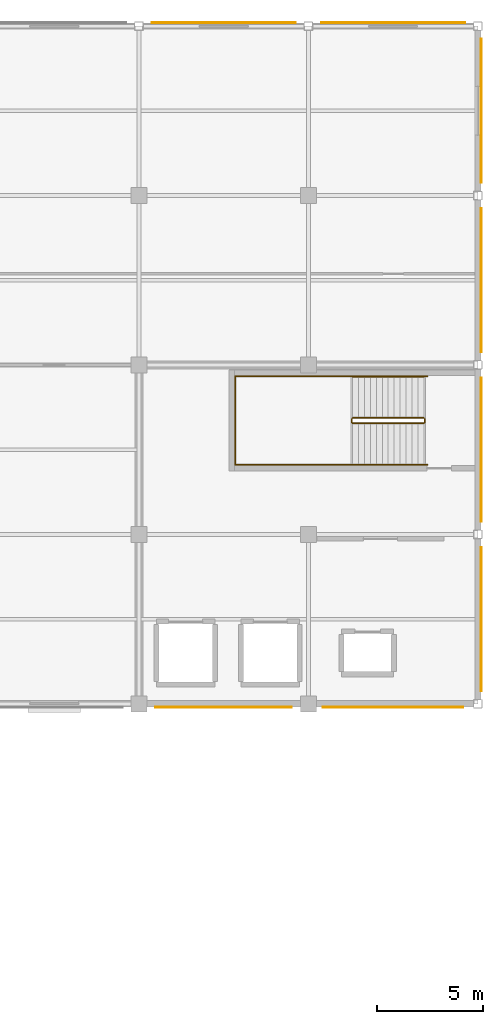
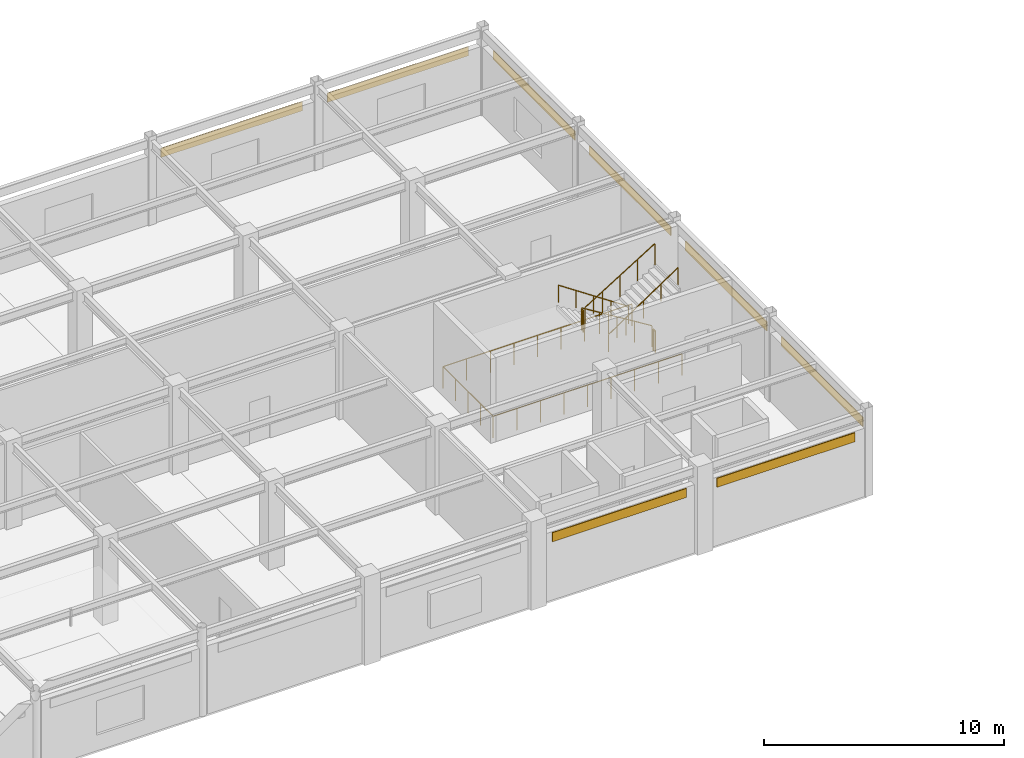
# One storey, part 77 of 78: 9 railings, 8 coverings.
"""IFC4 building model written with IfcOpenShell, lengths in metres."""

from ifc_helpers import new_model, si_unit, direction, frame, origin, origin_2d, place, context, subcontext, project, spatial, rectangle, circle, extrude, material, layer, layer_set, type_object, element, save


model = new_model("IFC4")

# Units and contexts
model_context = context("Model", 3, precision=1e-05, world=origin(), true_north=direction((0.0, 1.0)))
body_context = subcontext(model_context, "Body", "Model", "MODEL_VIEW")
ifc_project = project(units=[si_unit("LENGTHUNIT", "METRE"), si_unit("AREAUNIT", "SQUARE_METRE"), si_unit("VOLUMEUNIT", "CUBIC_METRE"), si_unit("PLANEANGLEUNIT", "RADIAN"), si_unit("MASSUNIT", "GRAM", prefix="KILO")], contexts=[model_context])

# Site, building, storey
site_placement = place(None, origin())
site = spatial("IfcSite", under=ifc_project, at=site_placement, CompositionType="ELEMENT")
building_placement = place(site_placement, origin())
building = spatial("IfcBuilding", under=site, at=building_placement, Name="Solmirada Galleria", CompositionType="ELEMENT")
storey_placement = place(building_placement, frame((0.0, 0.0, 23.89990234375)))
storey = spatial("IfcBuildingStorey", under=building, at=storey_placement, Name="L05", CompositionType="ELEMENT", Elevation=23.89990234375)

# Coverings
ifc_material_1 = material(Name="Limestone cladding panels", Category="masonry")
ifc_layer_1 = layer(ifc_material_1, 0.044921875)
ifc_layer_set_1 = layer_set([ifc_layer_1], Name="Limestone cladding panels")
covering_type_1 = type_object("IfcCoveringType", Name="COV-CLAD-LIME", PredefinedType="CLADDING", material=ifc_layer_set_1)
for number, where, z_axis, x_axis, name in (
    (1, (164.0, 120.16748046875, 2.990234375), (0.0, 0.0, 1.0), (1.0, 0.0, 0.0), "Postmodern facade cladding L05-354"),
    (2, (176.16748046875, 116.0, 2.990234375), (0.0, 0.0, 1.0), (0.0, -1.0, 0.0), "Postmodern facade cladding L05-356"),
    (3, (176.16748046875, 100.0, 2.990234375), (0.0, 0.0, 1.0), (0.0, -1.0, 0.0), "Postmodern facade cladding L05-358"),
):
    element("IfcCovering", number, at=place(storey_placement, frame(where, z_axis=z_axis, x_axis=x_axis)), inside=storey, type_object=covering_type_1, Name=name, PredefinedType="CLADDING", context=body_context, shape_type="SweptSolid", body=[
        extrude(rectangle(XDim=6.7939453125, YDim=0.044921875, at=origin_2d()), origin(), (0.0, 0.0, 1.0), 0.4599609375),
    ])
covering_1_placement = place(storey_placement, frame((172.0, 87.83251953125, 2.990234375), z_axis=(0.0, 0.0, 1.0), x_axis=(-1.0, 0.0, 0.0)))
element("IfcCovering", 4, at=covering_1_placement, inside=storey, type_object=covering_type_1, Name="Postmodern facade cladding L05-360", PredefinedType="CLADDING", context=body_context, shape_type="SweptSolid", body=[
    extrude(rectangle(XDim=6.6220703125, YDim=0.044921875, at=origin_2d()), origin(), (0.0, 0.0, 1.0), 0.4599609375),
])
ifc_material_2 = material(Name="Glazed terracotta facade panels", Category="masonry")
ifc_layer_2 = layer(ifc_material_2, 0.0400390625)
ifc_layer_set_2 = layer_set([ifc_layer_2], Name="Glazed terracotta facade panels")
covering_type_2 = type_object("IfcCoveringType", Name="COV-CLAD-TERRA", PredefinedType="CLADDING", material=ifc_layer_set_2)
for number, where, z_axis, x_axis, name in (
    (5, (172.0, 120.1650390625, 2.990234375), (0.0, 0.0, 1.0), (1.0, 0.0, 0.0), "Postmodern facade cladding L05-355"),
    (6, (176.1650390625, 108.0, 2.990234375), (0.0, 0.0, 1.0), (0.0, -1.0, 0.0), "Postmodern facade cladding L05-357"),
    (7, (176.1650390625, 92.0, 2.990234375), (0.0, 0.0, 1.0), (0.0, -1.0, 0.0), "Postmodern facade cladding L05-359"),
):
    element("IfcCovering", number, at=place(storey_placement, frame(where, z_axis=z_axis, x_axis=x_axis)), inside=storey, type_object=covering_type_2, Name=name, PredefinedType="CLADDING", context=body_context, shape_type="SweptSolid", body=[
        extrude(rectangle(XDim=6.7939453125, YDim=0.0400390625, at=origin_2d()), origin(), (0.0, 0.0, 1.0), 0.4599609375),
    ])
covering_2_placement = place(storey_placement, frame((164.0, 87.8349609375, 2.990234375), z_axis=(0.0, 0.0, 1.0), x_axis=(-1.0, 0.0, 0.0)))
element("IfcCovering", 8, at=covering_2_placement, inside=storey, type_object=covering_type_2, Name="Postmodern facade cladding L05-361", PredefinedType="CLADDING", context=body_context, shape_type="SweptSolid", body=[
    extrude(rectangle(XDim=6.449951171875, YDim=0.0400390625, at=origin_2d()), origin(), (0.0, 0.0, 1.0), 0.4599609375),
])

# Railings
ifc_material_3 = material(Name="Painted steel tubular railing", Category="steel")
railing_type_1 = type_object("IfcRailingType", Name="RAIL-STAIR-GUARD", PredefinedType="GUARDRAIL", material=ifc_material_3)
railing_1_placement = place(storey_placement, frame((173.449951171875, 101.5, 0.173095703125)))
element("IfcRailing", 9, at=railing_1_placement, inside=storey, type_object=railing_type_1, Name="L05 ST4 stair guard 1", PredefinedType="GUARDRAIL", context=body_context, shape_type="SweptSolid", body=[
    extrude(circle(Radius=0.02392578125, at=origin_2d()), frame((0.0, 0.0, 1.076171875), z_axis=(-0.850606129759, 0.0, 0.525803396734), x_axis=(0.0, -1.0, 0.0)), (0.0, 0.0, 1.0), 3.949951171875),
    extrude(circle(Radius=0.02099609375, at=origin_2d()), origin(), (0.0, 0.0, 1.0), 1.048095703125),
    extrude(circle(Radius=0.02099609375, at=origin_2d()), frame((-0.83984375, 0.0, 0.519287109375)), (0.0, 0.0, 1.0), 1.048095703125),
    extrude(circle(Radius=0.02099609375, at=origin_2d()), frame((-1.679931640625, 0.0, 1.03857421875)), (0.0, 0.0, 1.0), 1.048095703125),
    extrude(circle(Radius=0.02099609375, at=origin_2d()), frame((-2.52001953125, 0.0, 1.5576171875)), (0.0, 0.0, 1.0), 1.048095703125),
    extrude(circle(Radius=0.02099609375, at=origin_2d()), frame((-3.35986328125, 0.0, 2.076904296875)), (0.0, 0.0, 1.0), 1.048095703125),
])
railing_2_placement = place(storey_placement, frame((170.0400390625, 101.449951171875, 2.25)))
element("IfcRailing", 10, at=railing_2_placement, inside=storey, type_object=railing_type_1, Name="L05 ST4 stair guard 2", PredefinedType="GUARDRAIL", context=body_context, shape_type="SweptSolid", body=[
    extrude(circle(Radius=0.02392578125, at=origin_2d()), frame((0.0, 0.0, 1.076171875), z_axis=(0.0, -1.0, 0.0), x_axis=(1.0, 0.0, 0.0)), (0.0, 0.0, 1.0), 0.14990234375),
    extrude(circle(Radius=0.02099609375, at=origin_2d()), origin(), (0.0, 0.0, 1.0), 1.048095703125),
    extrude(circle(Radius=0.02099609375, at=origin_2d()), frame((0.0, -0.14990234375, 0.0)), (0.0, 0.0, 1.0), 1.048095703125),
])
railing_3_placement = place(storey_placement, frame((170.090087890625, 101.25, 2.423095703125)))
element("IfcRailing", 11, at=railing_3_placement, inside=storey, type_object=railing_type_1, Name="L05 ST4 stair guard 3", PredefinedType="GUARDRAIL", context=body_context, shape_type="SweptSolid", body=[
    extrude(circle(Radius=0.02392578125, at=origin_2d()), frame((0.0, 0.0, 1.076171875), z_axis=(0.850606129759, 0.0, 0.525803396734), x_axis=(0.0, 1.0, 0.0)), (0.0, 0.0, 1.0), 3.949951171875),
    extrude(circle(Radius=0.02099609375, at=origin_2d()), origin(), (0.0, 0.0, 1.0), 1.048095703125),
    extrude(circle(Radius=0.02099609375, at=origin_2d()), frame((0.83984375, 0.0, 0.519287109375)), (0.0, 0.0, 1.0), 1.048095703125),
    extrude(circle(Radius=0.02099609375, at=origin_2d()), frame((1.679931640625, 0.0, 1.03857421875)), (0.0, 0.0, 1.0), 1.048095703125),
    extrude(circle(Radius=0.02099609375, at=origin_2d()), frame((2.52001953125, 0.0, 1.5576171875)), (0.0, 0.0, 1.0), 1.048095703125),
    extrude(circle(Radius=0.02099609375, at=origin_2d()), frame((3.35986328125, 0.0, 2.076904296875)), (0.0, 0.0, 1.0), 1.048095703125),
])
railing_4_placement = place(storey_placement, frame((173.5, 101.449951171875, 0.0)))
element("IfcRailing", 12, at=railing_4_placement, inside=storey, type_object=railing_type_1, Name="L05 ST4 stair guard 4", PredefinedType="GUARDRAIL", context=body_context, shape_type="SweptSolid", body=[
    extrude(circle(Radius=0.02392578125, at=origin_2d()), frame((0.0, 0.0, 1.076171875), z_axis=(0.0, -1.0, 0.0), x_axis=(1.0, 0.0, 0.0)), (0.0, 0.0, 1.0), 0.14990234375),
    extrude(circle(Radius=0.02099609375, at=origin_2d()), origin(), (0.0, 0.0, 1.0), 1.048095703125),
    extrude(circle(Radius=0.02099609375, at=origin_2d()), frame((0.0, -0.14990234375, 0.0)), (0.0, 0.0, 1.0), 1.048095703125),
])
railing_5_placement = place(storey_placement, frame((173.6201171875, 99.2900390625, 0.0)))
element("IfcRailing", 13, at=railing_5_placement, inside=storey, type_object=railing_type_1, Name="Stair ST4 well edge guard L05-1", PredefinedType="GUARDRAIL", context=body_context, shape_type="SweptSolid", body=[
    extrude(circle(Radius=0.02392578125, at=origin_2d()), frame((0.0, 0.0, 1.09619140625), z_axis=(-1.0, 0.0, 0.0), x_axis=(0.0, -1.0, 0.0)), (0.0, 0.0, 1.0), 9.080078125),
    extrude(circle(Radius=0.02099609375, at=origin_2d()), origin(), (0.0, 0.0, 1.0), 1.068115234375),
    extrude(circle(Radius=0.02099609375, at=origin_2d()), frame((-1.135009765625, 0.0, 0.0)), (0.0, 0.0, 1.0), 1.068115234375),
    extrude(circle(Radius=0.02099609375, at=origin_2d()), frame((-2.27001953125, 0.0, 0.0)), (0.0, 0.0, 1.0), 1.068115234375),
    extrude(circle(Radius=0.02099609375, at=origin_2d()), frame((-3.405029296875, 0.0, 0.0)), (0.0, 0.0, 1.0), 1.068115234375),
    extrude(circle(Radius=0.02099609375, at=origin_2d()), frame((-4.5400390625, 0.0, 0.0)), (0.0, 0.0, 1.0), 1.068115234375),
    extrude(circle(Radius=0.02099609375, at=origin_2d()), frame((-5.675048828125, 0.0, 0.0)), (0.0, 0.0, 1.0), 1.068115234375),
    extrude(circle(Radius=0.02099609375, at=origin_2d()), frame((-6.81005859375, 0.0, 0.0)), (0.0, 0.0, 1.0), 1.068115234375),
    extrude(circle(Radius=0.02099609375, at=origin_2d()), frame((-7.945068359375, 0.0, 0.0)), (0.0, 0.0, 1.0), 1.068115234375),
    extrude(circle(Radius=0.02099609375, at=origin_2d()), frame((-9.080078125, 0.0, 0.0)), (0.0, 0.0, 1.0), 1.068115234375),
])
railing_6_placement = place(storey_placement, frame((164.5400390625, 99.2900390625, 0.0)))
element("IfcRailing", 14, at=railing_6_placement, inside=storey, type_object=railing_type_1, Name="Stair ST4 well edge guard L05-2", PredefinedType="GUARDRAIL", context=body_context, shape_type="SweptSolid", body=[
    extrude(circle(Radius=0.02392578125, at=origin_2d()), frame((0.0, 0.0, 1.09619140625), z_axis=(0.0, 1.0, 0.0), x_axis=(-1.0, 0.0, 0.0)), (0.0, 0.0, 1.0), 4.169921875),
    extrude(circle(Radius=0.02099609375, at=origin_2d()), origin(), (0.0, 0.0, 1.0), 1.068115234375),
    extrude(circle(Radius=0.02099609375, at=origin_2d()), frame((0.0, 1.04248046875, 0.0)), (0.0, 0.0, 1.0), 1.068115234375),
    extrude(circle(Radius=0.02099609375, at=origin_2d()), frame((0.0, 2.0849609375, 0.0)), (0.0, 0.0, 1.0), 1.068115234375),
    extrude(circle(Radius=0.02099609375, at=origin_2d()), frame((0.0, 3.12744140625, 0.0)), (0.0, 0.0, 1.0), 1.068115234375),
    extrude(circle(Radius=0.02099609375, at=origin_2d()), frame((0.0, 4.169921875, 0.0)), (0.0, 0.0, 1.0), 1.068115234375),
])
railing_7_placement = place(storey_placement, frame((164.5400390625, 103.4599609375, 0.0)))
element("IfcRailing", 15, at=railing_7_placement, inside=storey, type_object=railing_type_1, Name="Stair ST4 well edge guard L05-3", PredefinedType="GUARDRAIL", context=body_context, shape_type="SweptSolid", body=[
    extrude(circle(Radius=0.02392578125, at=origin_2d()), frame((0.0, 0.0, 1.09619140625), z_axis=(1.0, 0.0, 0.0), x_axis=(0.0, 1.0, 0.0)), (0.0, 0.0, 1.0), 9.080078125),
    extrude(circle(Radius=0.02099609375, at=origin_2d()), origin(), (0.0, 0.0, 1.0), 1.068115234375),
    extrude(circle(Radius=0.02099609375, at=origin_2d()), frame((1.135009765625, 0.0, 0.0)), (0.0, 0.0, 1.0), 1.068115234375),
    extrude(circle(Radius=0.02099609375, at=origin_2d()), frame((2.27001953125, 0.0, 0.0)), (0.0, 0.0, 1.0), 1.068115234375),
    extrude(circle(Radius=0.02099609375, at=origin_2d()), frame((3.405029296875, 0.0, 0.0)), (0.0, 0.0, 1.0), 1.068115234375),
    extrude(circle(Radius=0.02099609375, at=origin_2d()), frame((4.5400390625, 0.0, 0.0)), (0.0, 0.0, 1.0), 1.068115234375),
    extrude(circle(Radius=0.02099609375, at=origin_2d()), frame((5.675048828125, 0.0, 0.0)), (0.0, 0.0, 1.0), 1.068115234375),
    extrude(circle(Radius=0.02099609375, at=origin_2d()), frame((6.81005859375, 0.0, 0.0)), (0.0, 0.0, 1.0), 1.068115234375),
    extrude(circle(Radius=0.02099609375, at=origin_2d()), frame((7.945068359375, 0.0, 0.0)), (0.0, 0.0, 1.0), 1.068115234375),
    extrude(circle(Radius=0.02099609375, at=origin_2d()), frame((9.080078125, 0.0, 0.0)), (0.0, 0.0, 1.0), 1.068115234375),
])
railing_type_2 = type_object("IfcRailingType", Name="RAIL-STAIR-HAND", PredefinedType="HANDRAIL", material=ifc_material_3)
railing_8_placement = place(storey_placement, frame((173.449951171875, 103.449951171875, 0.173095703125)))
element("IfcRailing", 16, at=railing_8_placement, inside=storey, type_object=railing_type_2, Name="L05 ST4 stair handrail 1", PredefinedType="HANDRAIL", context=body_context, shape_type="SweptSolid", body=[
    extrude(circle(Radius=0.02392578125, at=origin_2d()), frame((0.0, 0.0, 0.8759765625), z_axis=(-0.830896709279, 0.0, 0.556426687452), x_axis=(0.0, -1.0, 0.0)), (0.0, 0.0, 1.0), 4.043701171875),
    extrude(circle(Radius=0.02099609375, at=origin_2d()), origin(), (0.0, 0.0, 1.0), 0.847900390625),
    extrude(circle(Radius=0.02099609375, at=origin_2d()), frame((-0.83984375, 0.0, 0.5625)), (0.0, 0.0, 1.0), 0.847900390625),
    extrude(circle(Radius=0.02099609375, at=origin_2d()), frame((-1.679931640625, 0.0, 1.125)), (0.0, 0.0, 1.0), 0.847900390625),
    extrude(circle(Radius=0.02099609375, at=origin_2d()), frame((-2.52001953125, 0.0, 1.6875)), (0.0, 0.0, 1.0), 0.847900390625),
    extrude(circle(Radius=0.02099609375, at=origin_2d()), frame((-3.35986328125, 0.0, 2.25)), (0.0, 0.0, 1.0), 0.847900390625),
])
railing_9_placement = place(storey_placement, frame((170.090087890625, 99.300048828125, 2.423095703125)))
element("IfcRailing", 17, at=railing_9_placement, inside=storey, type_object=railing_type_2, Name="L05 ST4 stair handrail 2", PredefinedType="HANDRAIL", context=body_context, shape_type="SweptSolid", body=[
    extrude(circle(Radius=0.02392578125, at=origin_2d()), frame((0.0, 0.0, 0.8759765625), z_axis=(0.830896709279, 0.0, 0.556426687452), x_axis=(0.0, 1.0, 0.0)), (0.0, 0.0, 1.0), 4.043701171875),
    extrude(circle(Radius=0.02099609375, at=origin_2d()), origin(), (0.0, 0.0, 1.0), 0.847900390625),
    extrude(circle(Radius=0.02099609375, at=origin_2d()), frame((0.83984375, 0.0, 0.5625)), (0.0, 0.0, 1.0), 0.847900390625),
    extrude(circle(Radius=0.02099609375, at=origin_2d()), frame((1.679931640625, 0.0, 1.125)), (0.0, 0.0, 1.0), 0.847900390625),
    extrude(circle(Radius=0.02099609375, at=origin_2d()), frame((2.52001953125, 0.0, 1.6875)), (0.0, 0.0, 1.0), 0.847900390625),
    extrude(circle(Radius=0.02099609375, at=origin_2d()), frame((3.35986328125, 0.0, 2.25)), (0.0, 0.0, 1.0), 0.847900390625),
])

save(model, "model.ifc")
